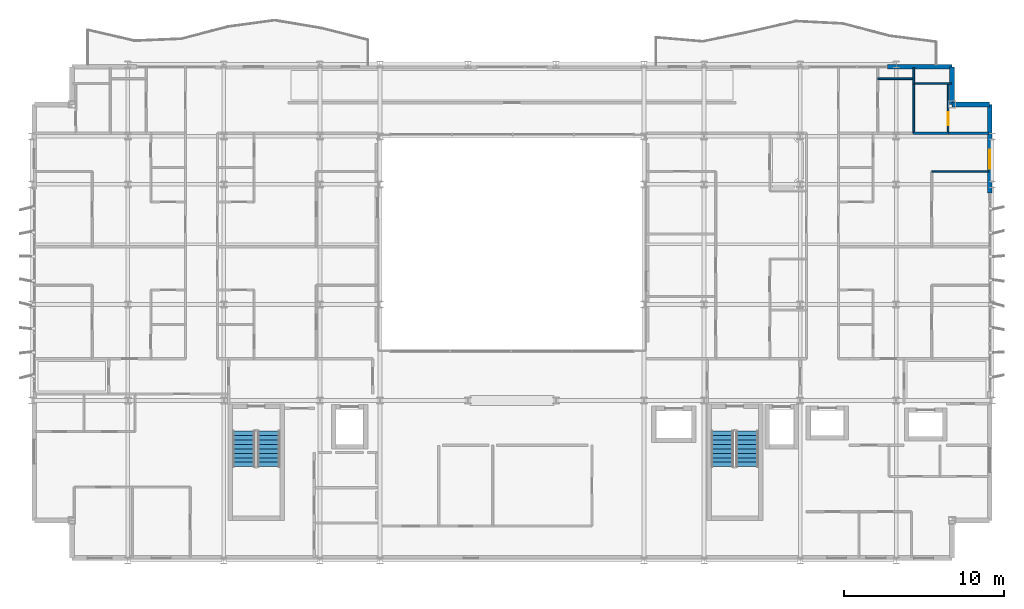
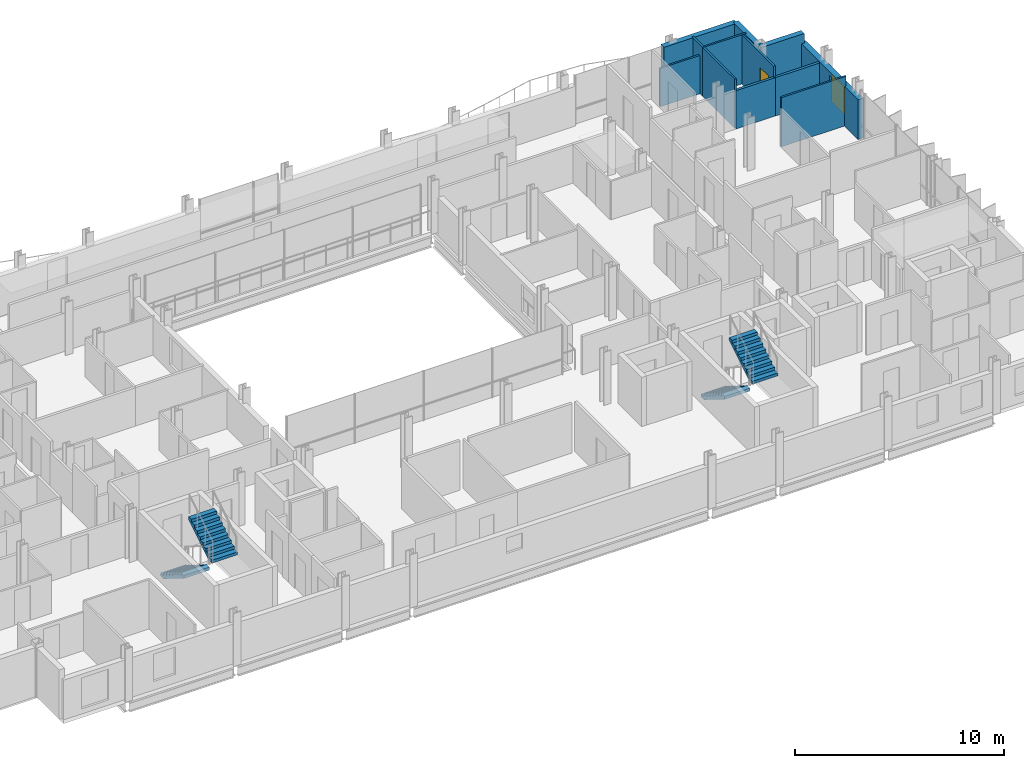
# One storey, part 33 of 39: 12 walls, 4 stair flights, 1 door, 1 window, 2 openings, 2 elements without a shape of their own.
"""IFC4 building model written with IfcOpenShell, lengths in metres."""

from ifc_helpers import new_model, si_unit, direction, frame, frame_2d, origin, place, context, subcontext, project, spatial, polyline, rectangle, outline, extrude, material, layer, layer_set, type_object, element, fill, aggregate, save


model = new_model("IFC4")

# Units and contexts
model_context = context("Model", 3, precision=1e-05, world=origin(), true_north=direction((0.0, 1.0)))
body_context = subcontext(model_context, "Body", "Model", "MODEL_VIEW")
ifc_project = project(units=[si_unit("LENGTHUNIT", "METRE"), si_unit("AREAUNIT", "SQUARE_METRE"), si_unit("VOLUMEUNIT", "CUBIC_METRE"), si_unit("PLANEANGLEUNIT", "RADIAN"), si_unit("MASSUNIT", "GRAM", prefix="KILO")], contexts=[model_context])

# Site, building, storey
site_placement = place(None, origin())
site = spatial("IfcSite", under=ifc_project, at=site_placement, CompositionType="ELEMENT")
building_placement = place(site_placement, origin())
building = spatial("IfcBuilding", under=site, at=building_placement, Name="Brevholm Reach", CompositionType="ELEMENT")
storey_placement = place(building_placement, frame((0.0, 0.0, 109.699951171875)))
storey = spatial("IfcBuildingStorey", under=building, at=storey_placement, Name="L32", CompositionType="ELEMENT", Elevation=109.699951171875)

# Walls
ifc_material_1 = material(Name="Concrete C40/50", Category="concrete")
ifc_layer_1 = layer(ifc_material_1, 0.300048828125)
ifc_layer_set_1 = layer_set([ifc_layer_1], Name="Concrete C40/50")
wall_type_1 = type_object("IfcWallType", Name="WAL-EXT-300", PredefinedType="STANDARD", material=ifc_layer_set_1)
for number, where, z_axis, x_axis, name in (
    (1, (59.85009765625, 28.5, 0.0), (0.0, 0.0, 1.0), (-1.0, 0.0, 0.0), "L32 Facade Wall WAL-L32-CNE1"),
    (2, (57.5, 28.5, 0.0), (0.0, 0.0, 1.0), (0.0, 1.0, 0.0), "L32 Facade Wall WAL-L32-CNE2"),
):
    element("IfcWall", number, at=place(storey_placement, frame(where, z_axis=z_axis, x_axis=x_axis)), inside=storey, type_object=wall_type_1, Name=name, PredefinedType="STANDARD", context=body_context, shape_type="SweptSolid", body=[
        extrude(rectangle(XDim=2.35009765625, YDim=0.300048828125, at=frame_2d((1.175048828125, 0.0))), origin(), (0.0, 0.0, 1.0), 2.880126953125),
    ])

# Wall, opening, window
wall_1_placement = place(storey_placement, frame((59.85009765625, 22.949951171875, 0.0), z_axis=(0.0, 0.0, 1.0), x_axis=(0.0, 1.0, 0.0)))
wall_1 = element("IfcWall", 3, at=wall_1_placement, inside=storey, type_object=wall_type_1, Name="L32 Facade Wall WAL-L32-E-N", PredefinedType="STANDARD", context=body_context, shape_type="SweptSolid", body=[
    extrude(rectangle(XDim=5.550048828125, YDim=0.300048828125, at=frame_2d((2.77490234375, 0.0))), origin(), (0.0, 0.0, 1.0), 2.322021484375),
])
opening_1_placement = place(wall_1_placement, frame((1.530029296875, 0.0, 0.501953125)))
opening_1 = element("IfcOpeningElement", 4, at=opening_1_placement, cuts=wall_1, Name="Opening WN-08", PredefinedType="OPENING", context=body_context, shape_type="SweptSolid", body=[
    extrude(rectangle(XDim=1.199951171875, YDim=1.60009765625, at=frame_2d((0.60009765625, 0.800048828125))), frame((0.0, 0.159912109375, 0.0), z_axis=(0.0, -1.0, 0.0), x_axis=(1.0, 0.0, 0.0)), (0.0, 0.0, 1.0), 0.320068359375),
])
ifc_material_2 = material(Name="Dark Anodised Aluminium and Solar-Control IGU Glass", Category="aluminium")
window_type = type_object("IfcWindowType", Name="WIN-RES-1200", PartitioningType="SINGLE_PANEL", PredefinedType="WINDOW", material=ifc_material_2)
window_placement = place(opening_1_placement, origin())
window = element("IfcWindow", 5, at=window_placement, inside=storey, type_object=window_type, Name="L32 Window WIN-L32-EN-1", OverallHeight=1.60009765625, OverallWidth=1.199951171875, PartitioningType="SINGLE_PANEL", PredefinedType="WINDOW", context=body_context, shape_type="SweptSolid", body=[
    extrude(rectangle(XDim=1.199951171875, YDim=1.60009765625, at=frame_2d((0.60009765625, 0.800048828125))), frame((0.0, 0.030029296875, 0.0), z_axis=(0.0, -1.0, 0.0), x_axis=(1.0, 0.0, 0.0)), (0.0, 0.0, 1.0), 0.06005859375),
])
fill(opening_1, window)

# Walls
wall_2_placement = place(storey_placement, frame((53.449951171875, 30.85009765625, 0.0), z_axis=(0.0, 0.0, 1.0), x_axis=(1.0, 0.0, 0.0)))
element("IfcWall", 6, at=wall_2_placement, inside=storey, type_object=wall_type_1, Name="L32 Facade Wall WAL-L32-NP-E0", PredefinedType="STANDARD", context=body_context, shape_type="SweptSolid", body=[
    extrude(rectangle(XDim=4.050048828125, YDim=0.300048828125, at=frame_2d((2.02490234375, 0.0))), origin(), (0.0, 0.0, 1.0), 2.880126953125),
])
ifc_material_3 = material(Name="Moisture-Resistant Acoustic Gypsum Stud Partition 100 mm", Category="gypsum")
ifc_layer_2 = layer(ifc_material_3, 0.10009765625)
ifc_layer_set_2 = layer_set([ifc_layer_2], Name="Moisture-Resistant Acoustic Gypsum Stud Partition 100 mm")
wall_type_2 = type_object("IfcWallType", Name="WAL-PRT-100", PredefinedType="PARTITIONING", material=ifc_layer_set_2)
wall_3_placement = place(storey_placement, frame((56.22802734375, 24.300048828125, 0.0), z_axis=(0.0, 0.0, 1.0), x_axis=(1.0, 0.0, 0.0)))
element("IfcWall", 7, at=wall_3_placement, inside=storey, type_object=wall_type_2, Name="L32 Internal Partition 150", PredefinedType="PARTITIONING", context=body_context, shape_type="SweptSolid", body=[
    extrude(rectangle(XDim=3.572021484375, YDim=0.10009765625, at=frame_2d((1.7861328125, 0.0))), origin(), (0.0, 0.0, 1.0), 2.880126953125),
])
wall_4_placement = place(storey_placement, frame((55.10009765625, 26.7041015625, 0.0), z_axis=(0.0, 0.0, 1.0), x_axis=(0.0, 1.0, 0.0)))
element("IfcWall", 8, at=wall_4_placement, inside=storey, type_object=wall_type_2, Name="L32 Internal Partition 162", PredefinedType="PARTITIONING", context=body_context, shape_type="SweptSolid", body=[
    extrude(rectangle(XDim=3.095947265625, YDim=0.10009765625, at=frame_2d((1.5478515625, 0.0))), origin(), (0.0, 0.0, 1.0), 2.880126953125),
])

# Wall, opening, door
wall_5_placement = place(storey_placement, frame((57.25, 26.7041015625, 0.0), z_axis=(0.0, 0.0, 1.0), x_axis=(0.0, 1.0, 0.0)))
wall_5 = element("IfcWall", 9, at=wall_5_placement, inside=storey, type_object=wall_type_2, Name="L32 Internal Partition 163", PredefinedType="PARTITIONING", context=body_context, shape_type="SweptSolid", body=[
    extrude(rectangle(XDim=3.095947265625, YDim=0.10009765625, at=frame_2d((1.5478515625, 0.0))), origin(), (0.0, 0.0, 1.0), 2.880126953125),
])
opening_2_placement = place(wall_5_placement, frame((0.47802734375, 0.0, 0.0)))
opening_2 = element("IfcOpeningElement", 10, at=opening_2_placement, cuts=wall_5, Name="Opening ID-03", PredefinedType="OPENING", context=body_context, shape_type="SweptSolid", body=[
    extrude(rectangle(XDim=0.820068359375, YDim=2.02001953125, at=frame_2d((0.41015625, 1.010009765625))), frame((0.0, 0.06005859375, 0.0), z_axis=(0.0, -1.0, 0.0), x_axis=(1.0, 0.0, 0.0)), (0.0, 0.0, 1.0), 0.1201171875),
])
ifc_material_4 = material(Name="Moisture-Resistant Painted Timber Internal Bathroom Door", Category="wood")
door_type = type_object("IfcDoorType", Name="DOR-BATH-820", OperationType="NOTDEFINED", PredefinedType="DOOR", material=ifc_material_4)
door_placement = place(opening_2_placement, origin())
door = element("IfcDoor", 11, at=door_placement, inside=storey, type_object=door_type, Name="L32 Internal Door 060", OperationType="SINGLE_SWING_RIGHT", OverallHeight=2.02001953125, OverallWidth=0.820068359375, PredefinedType="DOOR", context=body_context, shape_type="SweptSolid", body=[
    extrude(rectangle(XDim=0.820068359375, YDim=2.02001953125, at=frame_2d((0.41015625, 1.010009765625))), frame((0.0, 0.02490234375, 0.0), z_axis=(0.0, -1.0, 0.0), x_axis=(1.0, 0.0, 0.0)), (0.0, 0.0, 1.0), 0.050048828125),
])
fill(opening_2, door)

# Walls
wall_6_placement = place(storey_placement, frame((55.10009765625, 29.800048828125, 0.0), z_axis=(0.0, 0.0, 1.0), x_axis=(1.0, 0.0, 0.0)))
element("IfcWall", 12, at=wall_6_placement, inside=storey, type_object=wall_type_2, Name="L32 Internal Partition 164", PredefinedType="PARTITIONING", context=body_context, shape_type="SweptSolid", body=[
    extrude(rectangle(XDim=2.349853515625, YDim=0.10009765625, at=frame_2d((1.1748046875, 0.0))), origin(), (0.0, 0.0, 1.0), 2.880126953125),
])
wall_7_placement = place(storey_placement, frame((55.10009765625, 29.803955078125, 0.0), z_axis=(0.0, 0.0, 1.0), x_axis=(0.0, 1.0, 0.0)))
element("IfcWall", 13, at=wall_7_placement, inside=storey, type_object=wall_type_2, Name="L32 Internal Partition 165", PredefinedType="PARTITIONING", context=body_context, shape_type="SweptSolid", body=[
    extrude(rectangle(XDim=0.99609375, YDim=0.10009765625, at=frame_2d((0.498046875, 0.0))), origin(), (0.0, 0.0, 1.0), 2.880126953125),
])
wall_8_placement = place(storey_placement, frame((52.85009765625, 30.10009765625, 0.0), z_axis=(0.0, 0.0, 1.0), x_axis=(1.0, 0.0, 0.0)))
element("IfcWall", 14, at=wall_8_placement, inside=storey, type_object=wall_type_2, Name="L32 Internal Partition 166", PredefinedType="PARTITIONING", context=body_context, shape_type="SweptSolid", body=[
    extrude(rectangle(XDim=2.25, YDim=0.10009765625, at=frame_2d((1.125, 0.0))), origin(), (0.0, 0.0, 1.0), 2.242919921875),
])
ifc_material_5 = material(Name="Twin-Stud Acoustic Fire-Rated Gypsum Partition 140 mm", Category="gypsum")
ifc_layer_3 = layer(ifc_material_5, 0.139892578125)
ifc_layer_set_3 = layer_set([ifc_layer_3], Name="Twin-Stud Acoustic Fire-Rated Gypsum Partition 140 mm")
wall_type_3 = type_object("IfcWallType", Name="WAL-PRT-140", PredefinedType="PARTITIONING", material=ifc_layer_set_3)
wall_9_placement = place(storey_placement, frame((55.088623046875, 26.699951171875, 0.0), z_axis=(0.0, 0.0, 1.0), x_axis=(1.0, 0.0, 0.0)))
element("IfcWall", 15, at=wall_9_placement, inside=storey, type_object=wall_type_3, Name="L32 Internal Partition 152", PredefinedType="PARTITIONING", context=body_context, shape_type="SweptSolid", body=[
    extrude(rectangle(XDim=2.172607421875, YDim=0.139892578125, at=frame_2d((1.08642578125, 0.0))), origin(), (0.0, 0.0, 1.0), 2.242919921875),
])
wall_10_placement = place(storey_placement, frame((57.24267578125, 26.699951171875, 0.0), z_axis=(0.0, 0.0, 1.0), x_axis=(1.0, 0.0, 0.0)))
element("IfcWall", 16, at=wall_10_placement, inside=storey, type_object=wall_type_3, Name="L32 Internal Partition 154", PredefinedType="PARTITIONING", context=body_context, shape_type="SweptSolid", body=[
    extrude(rectangle(XDim=2.557373046875, YDim=0.139892578125, at=frame_2d((1.27880859375, 0.0))), origin(), (0.0, 0.0, 1.0), 2.242919921875),
])

# Stair, stair flights
ifc_material_6 = material(Name="Precast Concrete C40/50", Category="concrete")
stair_type = type_object("IfcStairType", Name="STR-ESC-1400", PredefinedType="DOUBLE_RETURN_STAIR", material=ifc_material_6)
stair_1_placement = place(storey_placement, origin())
stair_1 = element("IfcStair", 17, at=stair_1_placement, inside=storey, type_object=stair_type, Name="L32 ST-1", PredefinedType="DOUBLE_RETURN_STAIR")
ifc_material_7 = material(Name="Precast Concrete C40/50", Category="concrete")
ifc_layer_4 = layer(ifc_material_7, 0.18505859375)
ifc_layer_set_4 = layer_set([ifc_layer_4], Name="Precast Concrete C40/50")
stair_flight_type = type_object("IfcStairFlightType", Name="STF-PRC-185", PredefinedType="STRAIGHT", material=ifc_layer_set_4)
stair_flight_1_placement = place(storey_placement, frame((13.25, 8.10009765625, 0.0), z_axis=(0.0, 0.0, 1.0), x_axis=(0.0, -1.0, 0.0)))
stair_flight_1 = element("IfcStairFlight", 18, at=stair_flight_1_placement, type_object=stair_flight_type, Name="ST-1 flight 1", NumberOfRisers=9, NumberOfTreads=8, PredefinedType="STRAIGHT", RiserHeight=0.172222222, TreadLength=0.28, context=body_context, shape_type="SweptSolid", body=[
    extrude(outline(polyline([(0.0, 0.0), (0.0, 0.172119140625), (0.280029296875, 0.172119140625), (0.280029296875, 0.344482421875), (0.56005859375, 0.344482421875), (0.56005859375, 0.5166015625), (0.840087890625, 0.5166015625), (0.840087890625, 0.68896484375), (1.1201171875, 0.68896484375), (1.1201171875, 0.861083984375), (1.39990234375, 0.861083984375), (1.39990234375, 1.033447265625), (1.679931640625, 1.033447265625), (1.679931640625, 1.20556640625), (1.9599609375, 1.20556640625), (1.9599609375, 1.377685546875), (2.239990234375, 1.377685546875), (2.239990234375, 1.550048828125), (2.239990234375, 1.201904296875), (0.2861328125, 0.0), (0.0, 0.0)])), frame((0.0, 0.699951171875, 0.0), z_axis=(0.0, -1.0, 0.0), x_axis=(1.0, 0.0, 0.0)), (0.0, 0.0, 1.0), 1.39990234375),
])
stair_flight_2_placement = place(storey_placement, frame((14.800048828125, 5.860107421875, 1.550048828125), z_axis=(0.0, 0.0, 1.0), x_axis=(0.0, 1.0, 0.0)))
stair_flight_2 = element("IfcStairFlight", 19, at=stair_flight_2_placement, type_object=stair_flight_type, Name="ST-1 flight 2", NumberOfRisers=9, NumberOfTreads=8, PredefinedType="STRAIGHT", RiserHeight=0.172222222, TreadLength=0.28, context=body_context, shape_type="SweptSolid", body=[
    extrude(outline(polyline([(0.0, 0.0), (0.0, 0.172119140625), (0.280029296875, 0.172119140625), (0.280029296875, 0.344482421875), (0.56005859375, 0.344482421875), (0.56005859375, 0.5166015625), (0.840087890625, 0.5166015625), (0.840087890625, 0.68896484375), (1.1201171875, 0.68896484375), (1.1201171875, 0.861083984375), (1.39990234375, 0.861083984375), (1.39990234375, 1.033447265625), (1.679931640625, 1.033447265625), (1.679931640625, 1.20556640625), (1.9599609375, 1.20556640625), (1.9599609375, 1.377685546875), (2.239990234375, 1.377685546875), (2.239990234375, 1.550048828125), (2.239990234375, 1.201904296875), (0.2861328125, 0.0), (0.0, 0.0)])), frame((0.0, 0.699951171875, 0.0), z_axis=(0.0, -1.0, 0.0), x_axis=(1.0, 0.0, 0.0)), (0.0, 0.0, 1.0), 1.39990234375),
])
aggregate(stair_1, [stair_flight_1, stair_flight_2])

stair_2_placement = place(storey_placement, origin())
stair_2 = element("IfcStair", 20, at=stair_2_placement, inside=storey, type_object=stair_type, Name="L32 ST-2", PredefinedType="DOUBLE_RETURN_STAIR")
stair_flight_3_placement = place(storey_placement, frame((43.14990234375, 8.10009765625, 0.0), z_axis=(0.0, 0.0, 1.0), x_axis=(0.0, -1.0, 0.0)))
stair_flight_3 = element("IfcStairFlight", 21, at=stair_flight_3_placement, type_object=stair_flight_type, Name="ST-2 flight 1", NumberOfRisers=9, NumberOfTreads=8, PredefinedType="STRAIGHT", RiserHeight=0.172222222, TreadLength=0.28, context=body_context, shape_type="SweptSolid", body=[
    extrude(outline(polyline([(0.0, 0.0), (0.0, 0.172119140625), (0.280029296875, 0.172119140625), (0.280029296875, 0.344482421875), (0.56005859375, 0.344482421875), (0.56005859375, 0.5166015625), (0.840087890625, 0.5166015625), (0.840087890625, 0.68896484375), (1.1201171875, 0.68896484375), (1.1201171875, 0.861083984375), (1.39990234375, 0.861083984375), (1.39990234375, 1.033447265625), (1.679931640625, 1.033447265625), (1.679931640625, 1.20556640625), (1.9599609375, 1.20556640625), (1.9599609375, 1.377685546875), (2.239990234375, 1.377685546875), (2.239990234375, 1.550048828125), (2.239990234375, 1.201904296875), (0.2861328125, 0.0), (0.0, 0.0)])), frame((0.0, 0.699951171875, 0.0), z_axis=(0.0, -1.0, 0.0), x_axis=(1.0, 0.0, 0.0)), (0.0, 0.0, 1.0), 1.39990234375),
])
stair_flight_4_placement = place(storey_placement, frame((44.699951171875, 5.860107421875, 1.550048828125), z_axis=(0.0, 0.0, 1.0), x_axis=(0.0, 1.0, 0.0)))
stair_flight_4 = element("IfcStairFlight", 22, at=stair_flight_4_placement, type_object=stair_flight_type, Name="ST-2 flight 2", NumberOfRisers=9, NumberOfTreads=8, PredefinedType="STRAIGHT", RiserHeight=0.172222222, TreadLength=0.28, context=body_context, shape_type="SweptSolid", body=[
    extrude(outline(polyline([(0.0, 0.0), (0.0, 0.172119140625), (0.280029296875, 0.172119140625), (0.280029296875, 0.344482421875), (0.56005859375, 0.344482421875), (0.56005859375, 0.5166015625), (0.840087890625, 0.5166015625), (0.840087890625, 0.68896484375), (1.1201171875, 0.68896484375), (1.1201171875, 0.861083984375), (1.39990234375, 0.861083984375), (1.39990234375, 1.033447265625), (1.679931640625, 1.033447265625), (1.679931640625, 1.20556640625), (1.9599609375, 1.20556640625), (1.9599609375, 1.377685546875), (2.239990234375, 1.377685546875), (2.239990234375, 1.550048828125), (2.239990234375, 1.201904296875), (0.2861328125, 0.0), (0.0, 0.0)])), frame((0.0, 0.699951171875, 0.0), z_axis=(0.0, -1.0, 0.0), x_axis=(1.0, 0.0, 0.0)), (0.0, 0.0, 1.0), 1.39990234375),
])
aggregate(stair_2, [stair_flight_3, stair_flight_4])

save(model, "model.ifc")
